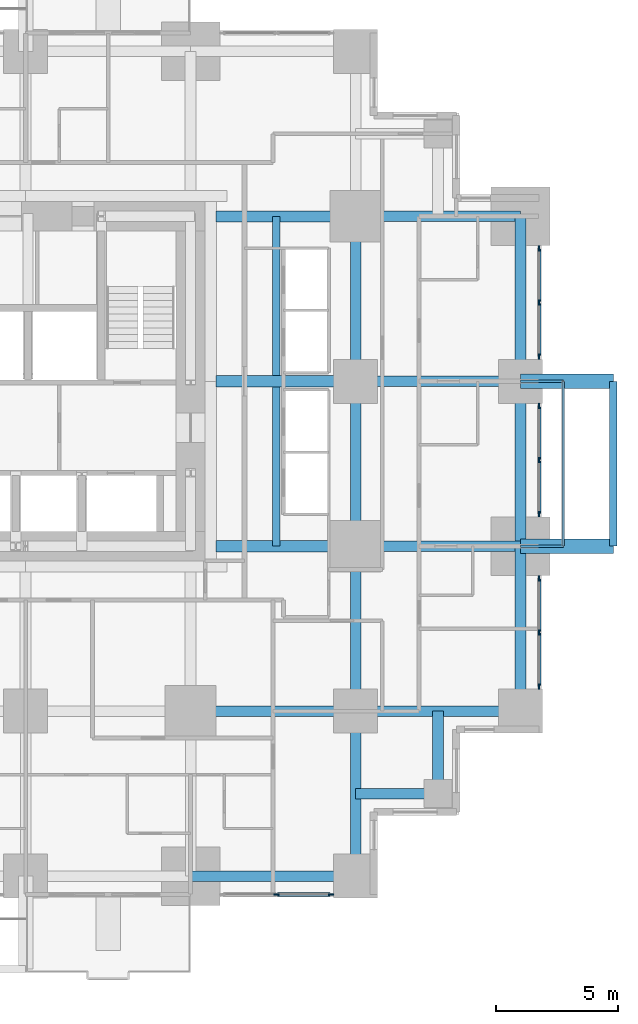
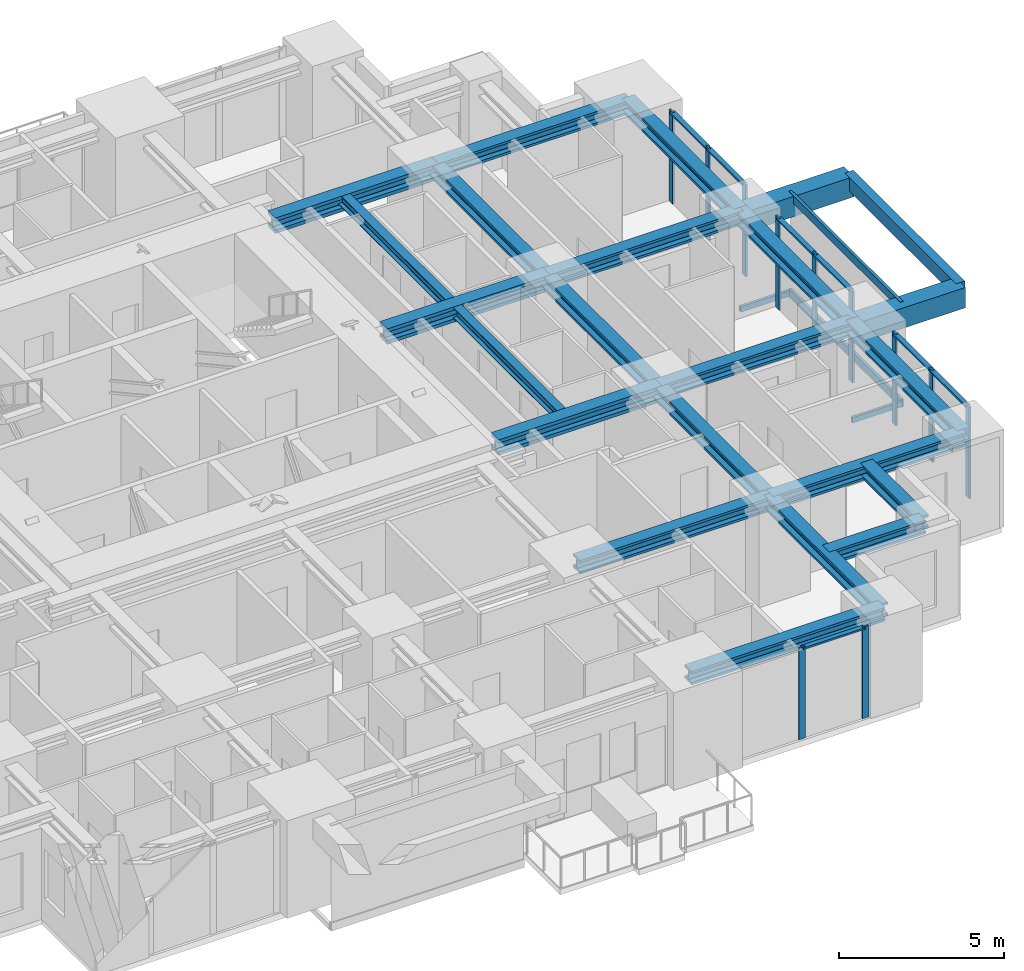
# One storey, part 4 of 13: 23 beams, 22 members, 4 elements without a shape of their own.
"""IFC4 building model written with IfcOpenShell, lengths in metres."""

from ifc_helpers import new_model, si_unit, direction, frame, origin, origin_2d, place, context, subcontext, project, spatial, rectangle, hollow_rectangle, i_section, extrude, material, material_profile, profile_set, type_object, element, aggregate, save


model = new_model("IFC4")

# Units and contexts
model_context = context("Model", 3, precision=1e-05, world=origin(), true_north=direction((0.0, 1.0)))
body_context = subcontext(model_context, "Body", "Model", "MODEL_VIEW")
ifc_project = project(units=[si_unit("LENGTHUNIT", "METRE"), si_unit("AREAUNIT", "SQUARE_METRE"), si_unit("VOLUMEUNIT", "CUBIC_METRE"), si_unit("PLANEANGLEUNIT", "RADIAN"), si_unit("MASSUNIT", "GRAM", prefix="KILO")], contexts=[model_context])

# Site, building, storey
site_placement = place(None, origin())
site = spatial("IfcSite", under=ifc_project, at=site_placement, CompositionType="ELEMENT")
building_placement = place(site_placement, origin())
building = spatial("IfcBuilding", under=site, at=building_placement, Name="Nyansa Garden Tower", CompositionType="ELEMENT")
storey_placement = place(building_placement, frame((0.0, 0.0, 83.699951171875)))
storey = spatial("IfcBuildingStorey", under=building, at=storey_placement, Name="L22", CompositionType="ELEMENT", Elevation=83.699951171875)

# Beams
ifc_material_1 = material(Name="Concrete C70/85", Category="concrete")
ifc_material_profile_1 = material_profile(ifc_material_1, rectangle(XDim=0.60009765625, YDim=0.75, at=origin_2d()), Name="RC 600x750")
ifc_profile_set_1 = profile_set([ifc_material_profile_1], Name="Concrete C70/85")
beam_type_1 = type_object("IfcBeamType", Name="Balcony cantilever beam CB1 RC 600x750", PredefinedType="BEAM", material=ifc_profile_set_1)
for number, where, z_axis, x_axis, name in (
    (1, (40.5, 13.5, 2.985107421875), (1.0, 0.0, 0.0), (0.0, 1.0, 0.0), "Balcony cantilever beam L23"),
    (2, (40.5, 20.25, 2.985107421875), (1.0, 0.0, 0.0), (0.0, 1.0, 0.0), "Balcony cantilever beam L23"),
):
    element("IfcBeam", number, at=place(storey_placement, frame(where, z_axis=z_axis, x_axis=x_axis)), inside=storey, type_object=beam_type_1, Name=name, PredefinedType="BEAM", context=body_context, shape_type="SweptSolid", body=[
        extrude(rectangle(XDim=0.60009765625, YDim=0.75, at=origin_2d()), origin(), (0.0, 0.0, 1.0), 3.800048828125),
    ])
ifc_material_2 = material(Name="Concrete C70/85", Category="concrete")
ifc_material_profile_2 = material_profile(ifc_material_2, rectangle(XDim=0.300048828125, YDim=0.5, at=origin_2d()), Name="RC 300x500")
ifc_profile_set_2 = profile_set([ifc_material_profile_2], Name="Concrete C70/85")
beam_type_2 = type_object("IfcBeamType", Name="Balcony edge beam BE1 RC 300x500", PredefinedType="BEAM", material=ifc_profile_set_2)
beam_placement = place(storey_placement, frame((44.300048828125, 13.5, 3.110107421875), z_axis=(0.0, 1.0, 0.0), x_axis=(-1.0, 0.0, 0.0)))
element("IfcBeam", 3, at=beam_placement, inside=storey, type_object=beam_type_2, Name="Balcony edge beam L23", PredefinedType="BEAM", context=body_context, shape_type="SweptSolid", body=[
    extrude(rectangle(XDim=0.300048828125, YDim=0.5, at=origin_2d()), origin(), (0.0, 0.0, 1.0), 6.75),
])

# Curtain wall, members
ifc_material_3 = material(Name="Black anodised aluminium, dark tinted double glazing", Category="aluminium")
curtain_wall_type = type_object("IfcCurtainWallType", Name="Inner skin curtain wall ISW-B", PredefinedType="USERDEFINED", material=ifc_material_3)
curtain_wall_1_placement = place(storey_placement, origin())
curtain_wall_1 = element("IfcCurtainWall", 4, at=curtain_wall_1_placement, inside=storey, type_object=curtain_wall_type, Name="Inner skin curtain wall L22 E", ObjectType="UNITISED CURTAIN WALL", PredefinedType="USERDEFINED")
ifc_material_4 = material(Name="Black anodised aluminium", Category="aluminium")
ifc_material_profile_3 = material_profile(ifc_material_4, rectangle(XDim=0.06494140625, YDim=0.22509765625, at=origin_2d()), Name="Mullion 225x65")
ifc_profile_set_3 = profile_set([ifc_material_profile_3], Name="Black anodised aluminium")
member_type_1 = type_object("IfcMemberType", Name="Mullion ISW-B 225x65", PredefinedType="MULLION", material=ifc_profile_set_3)
member_1_placement = place(storey_placement, frame((41.25, 7.762451171875, 0.0), z_axis=(0.0, 0.0, 1.0), x_axis=(-1.0, 0.0, 0.0)))
member_1 = element("IfcMember", 5, at=member_1_placement, type_object=member_type_1, Name="ISW-B mullion 1", PredefinedType="MULLION", context=body_context, shape_type="SweptSolid", body=[
    extrude(rectangle(XDim=0.06494140625, YDim=0.22509765625, at=origin_2d()), origin(), (0.0, 0.0, 1.0), 3.375),
])
member_2_placement = place(storey_placement, frame((41.25, 9.97509765625, 0.0), z_axis=(0.0, 0.0, 1.0), x_axis=(-1.0, 0.0, 0.0)))
member_2 = element("IfcMember", 6, at=member_2_placement, type_object=member_type_1, Name="ISW-B mullion 2", PredefinedType="MULLION", context=body_context, shape_type="SweptSolid", body=[
    extrude(rectangle(XDim=0.06494140625, YDim=0.22509765625, at=origin_2d()), origin(), (0.0, 0.0, 1.0), 3.375),
])
member_3_placement = place(storey_placement, frame((41.25, 12.1875, 0.0), z_axis=(0.0, 0.0, 1.0), x_axis=(-1.0, 0.0, 0.0)))
member_3 = element("IfcMember", 7, at=member_3_placement, type_object=member_type_1, Name="ISW-B mullion 3", PredefinedType="MULLION", context=body_context, shape_type="SweptSolid", body=[
    extrude(rectangle(XDim=0.06494140625, YDim=0.22509765625, at=origin_2d()), origin(), (0.0, 0.0, 1.0), 3.375),
])

curtain_wall_2_placement = place(storey_placement, origin())
curtain_wall_2 = element("IfcCurtainWall", 8, at=curtain_wall_2_placement, inside=storey, type_object=curtain_wall_type, Name="Inner skin curtain wall L22 E", ObjectType="UNITISED CURTAIN WALL", PredefinedType="USERDEFINED")
member_4_placement = place(storey_placement, frame((41.25, 14.8125, 0.0), z_axis=(0.0, 0.0, 1.0), x_axis=(-1.0, 0.0, 0.0)))
member_4 = element("IfcMember", 9, at=member_4_placement, type_object=member_type_1, Name="ISW-B mullion 1", PredefinedType="MULLION", context=body_context, shape_type="SweptSolid", body=[
    extrude(rectangle(XDim=0.06494140625, YDim=0.22509765625, at=origin_2d()), origin(), (0.0, 0.0, 1.0), 3.375),
])
member_5_placement = place(storey_placement, frame((41.25, 17.02490234375, 0.0), z_axis=(0.0, 0.0, 1.0), x_axis=(-1.0, 0.0, 0.0)))
member_5 = element("IfcMember", 10, at=member_5_placement, type_object=member_type_1, Name="ISW-B mullion 2", PredefinedType="MULLION", context=body_context, shape_type="SweptSolid", body=[
    extrude(rectangle(XDim=0.06494140625, YDim=0.22509765625, at=origin_2d()), origin(), (0.0, 0.0, 1.0), 3.375),
])
member_6_placement = place(storey_placement, frame((41.25, 19.237548828125, 0.0), z_axis=(0.0, 0.0, 1.0), x_axis=(-1.0, 0.0, 0.0)))
member_6 = element("IfcMember", 11, at=member_6_placement, type_object=member_type_1, Name="ISW-B mullion 3", PredefinedType="MULLION", context=body_context, shape_type="SweptSolid", body=[
    extrude(rectangle(XDim=0.06494140625, YDim=0.22509765625, at=origin_2d()), origin(), (0.0, 0.0, 1.0), 3.375),
])

curtain_wall_3_placement = place(storey_placement, origin())
curtain_wall_3 = element("IfcCurtainWall", 12, at=curtain_wall_3_placement, inside=storey, type_object=curtain_wall_type, Name="Inner skin curtain wall L22 E", ObjectType="UNITISED CURTAIN WALL", PredefinedType="USERDEFINED")
member_7_placement = place(storey_placement, frame((41.25, 21.262451171875, 0.0), z_axis=(0.0, 0.0, 1.0), x_axis=(-1.0, 0.0, 0.0)))
member_7 = element("IfcMember", 13, at=member_7_placement, type_object=member_type_1, Name="ISW-B mullion 1", PredefinedType="MULLION", context=body_context, shape_type="SweptSolid", body=[
    extrude(rectangle(XDim=0.06494140625, YDim=0.22509765625, at=origin_2d()), origin(), (0.0, 0.0, 1.0), 3.375),
])
member_8_placement = place(storey_placement, frame((41.25, 23.47509765625, 0.0), z_axis=(0.0, 0.0, 1.0), x_axis=(-1.0, 0.0, 0.0)))
member_8 = element("IfcMember", 14, at=member_8_placement, type_object=member_type_1, Name="ISW-B mullion 2", PredefinedType="MULLION", context=body_context, shape_type="SweptSolid", body=[
    extrude(rectangle(XDim=0.06494140625, YDim=0.22509765625, at=origin_2d()), origin(), (0.0, 0.0, 1.0), 3.375),
])
member_9_placement = place(storey_placement, frame((41.25, 25.6875, 0.0), z_axis=(0.0, 0.0, 1.0), x_axis=(-1.0, 0.0, 0.0)))
member_9 = element("IfcMember", 15, at=member_9_placement, type_object=member_type_1, Name="ISW-B mullion 3", PredefinedType="MULLION", context=body_context, shape_type="SweptSolid", body=[
    extrude(rectangle(XDim=0.06494140625, YDim=0.22509765625, at=origin_2d()), origin(), (0.0, 0.0, 1.0), 3.375),
])

curtain_wall_4_placement = place(storey_placement, origin())
curtain_wall_4 = element("IfcCurtainWall", 16, at=curtain_wall_4_placement, inside=storey, type_object=curtain_wall_type, Name="Inner skin curtain wall L22 S", ObjectType="UNITISED CURTAIN WALL", PredefinedType="USERDEFINED")
member_10_placement = place(storey_placement, frame((30.52490234375, -0.75, 0.0), z_axis=(0.0, 0.0, 1.0), x_axis=(0.0, 1.0, 0.0)))
member_10 = element("IfcMember", 17, at=member_10_placement, type_object=member_type_1, Name="ISW-B mullion 2", PredefinedType="MULLION", context=body_context, shape_type="SweptSolid", body=[
    extrude(rectangle(XDim=0.06494140625, YDim=0.22509765625, at=origin_2d()), origin(), (0.0, 0.0, 1.0), 3.375),
])
member_11_placement = place(storey_placement, frame((32.737548828125, -0.75, 0.0), z_axis=(0.0, 0.0, 1.0), x_axis=(0.0, 1.0, 0.0)))
member_11 = element("IfcMember", 18, at=member_11_placement, type_object=member_type_1, Name="ISW-B mullion 3", PredefinedType="MULLION", context=body_context, shape_type="SweptSolid", body=[
    extrude(rectangle(XDim=0.06494140625, YDim=0.22509765625, at=origin_2d()), origin(), (0.0, 0.0, 1.0), 3.375),
])

# Members
ifc_material_5 = material(Name="Steel S355, black powder coated", Category="steel")
ifc_material_profile_4 = material_profile(ifc_material_5, hollow_rectangle(XDim=0.10009765625, YDim=0.199951171875, WallThickness=0.008056640625, at=origin_2d()), Name="RHS 200x100x8")
ifc_profile_set_4 = profile_set([ifc_material_profile_4], Name="Steel S355, black powder coated")
member_type_2 = type_object("IfcMemberType", Name="Outer skin bracket arm RHS 200x100x8", PredefinedType="USERDEFINED", material=ifc_profile_set_4)
for number, where, z_axis, x_axis, name in (
    (19, (40.5, 13.5, -0.375), (1.0, 0.0, 0.0), (0.0, 1.0, 0.0), "Outer skin bracket arm"),
    (20, (40.5, 20.25, -0.375), (1.0, 0.0, 0.0), (0.0, 1.0, 0.0), "Outer skin bracket arm"),
):
    element("IfcMember", number, at=place(storey_placement, frame(where, z_axis=z_axis, x_axis=x_axis)), inside=storey, type_object=member_type_2, Name=name, ObjectType="OUTER SKIN BRACKET", PredefinedType="USERDEFINED", context=body_context, shape_type="SweptSolid", body=[
        extrude(hollow_rectangle(XDim=0.10009765625, YDim=0.199951171875, WallThickness=0.008056640625, at=origin_2d()), origin(), (0.0, 0.0, 1.0), 1.75),
    ])
ifc_material_6 = material(Name="Steel S355, black powder coated", Category="steel")
ifc_material_profile_5 = material_profile(ifc_material_6, hollow_rectangle(XDim=0.10009765625, YDim=0.300048828125, WallThickness=0.010009765625, at=origin_2d()), Name="RHS 300x100x10")
ifc_profile_set_5 = profile_set([ifc_material_profile_5], Name="Steel S355, black powder coated")
member_type_3 = type_object("IfcMemberType", Name="Outer skin rail RHS 300x100x10", PredefinedType="USERDEFINED", material=ifc_profile_set_5)
for number, where, z_axis, x_axis, name in (
    (21, (42.25, 13.5, -0.375), (0.0, 1.0, 0.0), (-1.0, 0.0, 0.0), "Outer skin rail L22"),
    (22, (42.25, 13.5, 3.22509765625), (0.0, 1.0, 0.0), (-1.0, 0.0, 0.0), "Outer skin rail L22 head"),
):
    element("IfcMember", number, at=place(storey_placement, frame(where, z_axis=z_axis, x_axis=x_axis)), inside=storey, type_object=member_type_3, Name=name, ObjectType="OUTER SKIN RAIL", PredefinedType="USERDEFINED", context=body_context, shape_type="SweptSolid", body=[
        extrude(hollow_rectangle(XDim=0.10009765625, YDim=0.300048828125, WallThickness=0.010009765625, at=origin_2d()), origin(), (0.0, 0.0, 1.0), 6.75),
    ])

# Beams
ifc_material_7 = material(Name="Steel S355", Category="steel")
ifc_material_profile_6 = material_profile(ifc_material_7, i_section(OverallWidth=0.431884765625, OverallDepth=0.498046875, WebThickness=0.0556640625, FlangeThickness=0.0888671875, FilletRadius=0.014892578125, at=origin_2d()), Name="HD 400x744")
ifc_profile_set_6 = profile_set([ifc_material_profile_6], Name="Steel S355")
beam_type_3 = type_object("IfcBeamType", Name="Steel beam SBB1-744 HD 400x744", PredefinedType="BEAM", material=ifc_profile_set_6)
for number, where, z_axis, x_axis, name in (
    (23, (27.0, 6.75, 3.1259765625), (1.0, 0.0, 0.0), (0.0, 1.0, 0.0), "Steel beam 6/E-7/E L23"),
    (24, (33.75, 0.0, 3.1259765625), (0.0, 1.0, 0.0), (-1.0, 0.0, 0.0), "Steel beam 7/D-7/E L23"),
    (25, (33.75, 6.75, 3.1259765625), (0.0, 1.0, 0.0), (-1.0, 0.0, 0.0), "Steel beam 7/E-7/F L23"),
    (26, (33.75, 6.75, 3.1259765625), (1.0, 0.0, 0.0), (0.0, 1.0, 0.0), "Steel beam 7/E-8/E L23"),
    (27, (33.75, 13.5, 3.1259765625), (0.0, 1.0, 0.0), (-1.0, 0.0, 0.0), "Steel beam 7/F-7/G L23"),
    (28, (33.75, 13.5, 3.1259765625), (1.0, 0.0, 0.0), (0.0, 1.0, 0.0), "Steel beam 7/F-8/F L23"),
    (29, (33.75, 20.25, 3.1259765625), (0.0, 1.0, 0.0), (-1.0, 0.0, 0.0), "Steel beam 7/G-7/H L23"),
    (30, (33.75, 20.25, 3.1259765625), (1.0, 0.0, 0.0), (0.0, 1.0, 0.0), "Steel beam 7/G-8/G L23"),
    (31, (33.75, 27.0, 3.1259765625), (1.0, 0.0, 0.0), (0.0, 1.0, 0.0), "Steel beam 7/H-8/H L23"),
):
    element("IfcBeam", number, at=place(storey_placement, frame(where, z_axis=z_axis, x_axis=x_axis)), inside=storey, type_object=beam_type_3, Name=name, PredefinedType="BEAM", context=body_context, shape_type="SweptSolid", body=[
        extrude(i_section(OverallWidth=0.431884765625, OverallDepth=0.498046875, WebThickness=0.0556640625, FlangeThickness=0.0888671875, FilletRadius=0.014892578125, at=origin_2d()), origin(), (0.0, 0.0, 1.0), 6.75),
    ])
ifc_material_8 = material(Name="Steel S355", Category="steel")
ifc_material_profile_7 = material_profile(ifc_material_8, i_section(OverallWidth=0.4541015625, OverallDepth=0.569091796875, WebThickness=0.077880859375, FlangeThickness=0.125, FilletRadius=0.014892578125, at=origin_2d()), Name="HD 400x1086")
ifc_profile_set_7 = profile_set([ifc_material_profile_7], Name="Steel S355")
beam_type_4 = type_object("IfcBeamType", Name="Steel beam SCL-1086 HD 400x1086", PredefinedType="BEAM", material=ifc_profile_set_7)
for number, where, z_axis, x_axis, name in (
    (32, (28.050048828125, 13.5, 3.090576171875), (1.0, 0.0, 0.0), (0.0, 1.0, 0.0), "Steel beam 28.050/F-7/F L23"),
    (33, (28.050048828125, 20.25, 3.090576171875), (1.0, 0.0, 0.0), (0.0, 1.0, 0.0), "Steel beam 28.050/G-7/G L23"),
    (34, (28.050048828125, 27.0, 3.090576171875), (1.0, 0.0, 0.0), (0.0, 1.0, 0.0), "Steel beam 28.050/H-7/H L23"),
):
    element("IfcBeam", number, at=place(storey_placement, frame(where, z_axis=z_axis, x_axis=x_axis)), inside=storey, type_object=beam_type_4, Name=name, PredefinedType="BEAM", context=body_context, shape_type="SweptSolid", body=[
        extrude(i_section(OverallWidth=0.4541015625, OverallDepth=0.569091796875, WebThickness=0.077880859375, FlangeThickness=0.125, FilletRadius=0.014892578125, at=origin_2d()), origin(), (0.0, 0.0, 1.0), 5.699951171875),
    ])
ifc_material_9 = material(Name="Steel S355", Category="steel")
ifc_material_profile_8 = material_profile(ifc_material_9, i_section(OverallWidth=0.431884765625, OverallDepth=0.498046875, WebThickness=0.0556640625, FlangeThickness=0.0888671875, FilletRadius=0.014892578125, at=origin_2d()), Name="HD 400x744")
ifc_profile_set_8 = profile_set([ifc_material_profile_8], Name="Steel S355")
beam_type_5 = type_object("IfcBeamType", Name="Steel beam SEBB-744 HD 400x744", PredefinedType="BEAM", material=ifc_profile_set_8)
for number, where, z_axis, x_axis, name in (
    (35, (27.0, 0.0, 3.1259765625), (1.0, 0.0, 0.0), (0.0, 1.0, 0.0), "Steel edge beam 6/D-7/D L23"),
    (36, (40.5, 6.75, 3.1259765625), (0.0, 1.0, 0.0), (-1.0, 0.0, 0.0), "Steel edge beam 8/E-8/F L23"),
    (37, (40.5, 13.5, 3.1259765625), (0.0, 1.0, 0.0), (-1.0, 0.0, 0.0), "Steel edge beam 8/F-8/G L23"),
    (38, (40.5, 20.25, 3.1259765625), (0.0, 1.0, 0.0), (-1.0, 0.0, 0.0), "Steel edge beam 8/G-8/H L23"),
):
    element("IfcBeam", number, at=place(storey_placement, frame(where, z_axis=z_axis, x_axis=x_axis)), inside=storey, type_object=beam_type_5, Name=name, PredefinedType="BEAM", context=body_context, shape_type="SweptSolid", body=[
        extrude(i_section(OverallWidth=0.431884765625, OverallDepth=0.498046875, WebThickness=0.0556640625, FlangeThickness=0.0888671875, FilletRadius=0.014892578125, at=origin_2d()), origin(), (0.0, 0.0, 1.0), 6.75),
    ])
ifc_material_10 = material(Name="Steel S355", Category="steel")
ifc_material_profile_9 = material_profile(ifc_material_10, i_section(OverallWidth=0.431884765625, OverallDepth=0.498046875, WebThickness=0.0556640625, FlangeThickness=0.0888671875, FilletRadius=0.014892578125, at=origin_2d()), Name="HD 400x744")
ifc_profile_set_9 = profile_set([ifc_material_profile_9], Name="Steel S355")
beam_type_6 = type_object("IfcBeamType", Name="Steel beam SSB1-744 HD 400x744", PredefinedType="BEAM", material=ifc_profile_set_9)
for number, where, z_axis, x_axis, name in (
    (39, (37.125, 3.375, 3.1259765625), (0.0, 1.0, 0.0), (-1.0, 0.0, 0.0), "Steel step beam 37.125/3.375 L23"),
    (40, (37.125, 3.375, 3.1259765625), (-1.0, 0.0, 0.0), (0.0, -1.0, 0.0), "Steel step beam 37.125/3.375 L23"),
):
    element("IfcBeam", number, at=place(storey_placement, frame(where, z_axis=z_axis, x_axis=x_axis)), inside=storey, type_object=beam_type_6, Name=name, PredefinedType="BEAM", context=body_context, shape_type="SweptSolid", body=[
        extrude(i_section(OverallWidth=0.431884765625, OverallDepth=0.498046875, WebThickness=0.0556640625, FlangeThickness=0.0888671875, FilletRadius=0.014892578125, at=origin_2d()), origin(), (0.0, 0.0, 1.0), 3.375),
    ])

# Member
ifc_material_11 = material(Name="Black anodised aluminium", Category="aluminium")
ifc_material_profile_10 = material_profile(ifc_material_11, rectangle(XDim=0.1650390625, YDim=0.06494140625, at=origin_2d()), Name="Transom 165x65")
ifc_profile_set_10 = profile_set([ifc_material_profile_10], Name="Black anodised aluminium")
member_type_4 = type_object("IfcMemberType", Name="Transom ISW-B 165x65", PredefinedType="USERDEFINED", material=ifc_profile_set_10)
member_12_placement = place(storey_placement, frame((41.25, 7.794921875, 3.342529296875), z_axis=(0.0, 1.0, 0.0), x_axis=(-1.0, 0.0, 0.0)))
member_12 = element("IfcMember", 41, at=member_12_placement, type_object=member_type_4, Name="ISW-B transom 1", ObjectType="TRANSOM", PredefinedType="USERDEFINED", context=body_context, shape_type="SweptSolid", body=[
    extrude(rectangle(XDim=0.1650390625, YDim=0.06494140625, at=origin_2d()), origin(), (0.0, 0.0, 1.0), 2.1474609375),
])

member_13_placement = place(storey_placement, frame((41.25, 10.007568359375, 3.342529296875), z_axis=(0.0, 1.0, 0.0), x_axis=(-1.0, 0.0, 0.0)))
member_13 = element("IfcMember", 42, at=member_13_placement, type_object=member_type_4, Name="ISW-B transom 2", ObjectType="TRANSOM", PredefinedType="USERDEFINED", context=body_context, shape_type="SweptSolid", body=[
    extrude(rectangle(XDim=0.1650390625, YDim=0.06494140625, at=origin_2d()), origin(), (0.0, 0.0, 1.0), 2.1474609375),
])

aggregate(curtain_wall_1, [member_1, member_2, member_3, member_12, member_13])

member_14_placement = place(storey_placement, frame((41.25, 14.844970703125, 3.342529296875), z_axis=(0.0, 1.0, 0.0), x_axis=(-1.0, 0.0, 0.0)))
member_14 = element("IfcMember", 43, at=member_14_placement, type_object=member_type_4, Name="ISW-B transom 1", ObjectType="TRANSOM", PredefinedType="USERDEFINED", context=body_context, shape_type="SweptSolid", body=[
    extrude(rectangle(XDim=0.1650390625, YDim=0.06494140625, at=origin_2d()), origin(), (0.0, 0.0, 1.0), 2.1474609375),
])

member_15_placement = place(storey_placement, frame((41.25, 17.0576171875, 3.342529296875), z_axis=(0.0, 1.0, 0.0), x_axis=(-1.0, 0.0, 0.0)))
member_15 = element("IfcMember", 44, at=member_15_placement, type_object=member_type_4, Name="ISW-B transom 2", ObjectType="TRANSOM", PredefinedType="USERDEFINED", context=body_context, shape_type="SweptSolid", body=[
    extrude(rectangle(XDim=0.1650390625, YDim=0.06494140625, at=origin_2d()), origin(), (0.0, 0.0, 1.0), 2.1474609375),
])

aggregate(curtain_wall_2, [member_4, member_5, member_6, member_14, member_15])

member_16_placement = place(storey_placement, frame((41.25, 21.294921875, 3.342529296875), z_axis=(0.0, 1.0, 0.0), x_axis=(-1.0, 0.0, 0.0)))
member_16 = element("IfcMember", 45, at=member_16_placement, type_object=member_type_4, Name="ISW-B transom 1", ObjectType="TRANSOM", PredefinedType="USERDEFINED", context=body_context, shape_type="SweptSolid", body=[
    extrude(rectangle(XDim=0.1650390625, YDim=0.06494140625, at=origin_2d()), origin(), (0.0, 0.0, 1.0), 2.1474609375),
])

member_17_placement = place(storey_placement, frame((41.25, 23.507568359375, 3.342529296875), z_axis=(0.0, 1.0, 0.0), x_axis=(-1.0, 0.0, 0.0)))
member_17 = element("IfcMember", 46, at=member_17_placement, type_object=member_type_4, Name="ISW-B transom 2", ObjectType="TRANSOM", PredefinedType="USERDEFINED", context=body_context, shape_type="SweptSolid", body=[
    extrude(rectangle(XDim=0.1650390625, YDim=0.06494140625, at=origin_2d()), origin(), (0.0, 0.0, 1.0), 2.1474609375),
])

aggregate(curtain_wall_3, [member_7, member_8, member_9, member_16, member_17])

member_18_placement = place(storey_placement, frame((30.5576171875, -0.75, 3.342529296875), z_axis=(1.0, 0.0, 0.0), x_axis=(0.0, 1.0, 0.0)))
member_18 = element("IfcMember", 47, at=member_18_placement, type_object=member_type_4, Name="ISW-B transom 2", ObjectType="TRANSOM", PredefinedType="USERDEFINED", context=body_context, shape_type="SweptSolid", body=[
    extrude(rectangle(XDim=0.1650390625, YDim=0.06494140625, at=origin_2d()), origin(), (0.0, 0.0, 1.0), 2.1474609375),
])

aggregate(curtain_wall_4, [member_10, member_11, member_18])

# Beams
ifc_material_12 = material(Name="Steel S355", Category="steel")
ifc_material_profile_11 = material_profile(ifc_material_12, i_section(OverallWidth=0.300048828125, OverallDepth=0.39990234375, WebThickness=0.013427734375, FlangeThickness=0.02392578125, FilletRadius=0.027099609375, at=origin_2d()), Name="HE 400 B")
ifc_profile_set_11 = profile_set([ifc_material_profile_11], Name="Steel S355")
beam_type_7 = type_object("IfcBeamType", Name="Trimmer beam TR1 HE 400 B", PredefinedType="BEAM", material=ifc_profile_set_11)
for number, where, z_axis, x_axis, name in (
    (48, (30.5, 13.5, 3.175048828125), (0.0, 1.0, 0.0), (-1.0, 0.0, 0.0), "Trimmer beam 1 L23"),
    (49, (30.5, 20.47705078125, 3.175048828125), (0.0, 1.0, 0.0), (-1.0, 0.0, 0.0), "Trimmer beam 2 L23"),
):
    element("IfcBeam", number, at=place(storey_placement, frame(where, z_axis=z_axis, x_axis=x_axis)), inside=storey, type_object=beam_type_7, Name=name, PredefinedType="BEAM", context=body_context, shape_type="SweptSolid", body=[
        extrude(i_section(OverallWidth=0.300048828125, OverallDepth=0.39990234375, WebThickness=0.013427734375, FlangeThickness=0.02392578125, FilletRadius=0.027099609375, at=origin_2d()), origin(), (0.0, 0.0, 1.0), 6.52294921875),
    ])

save(model, "model.ifc")
